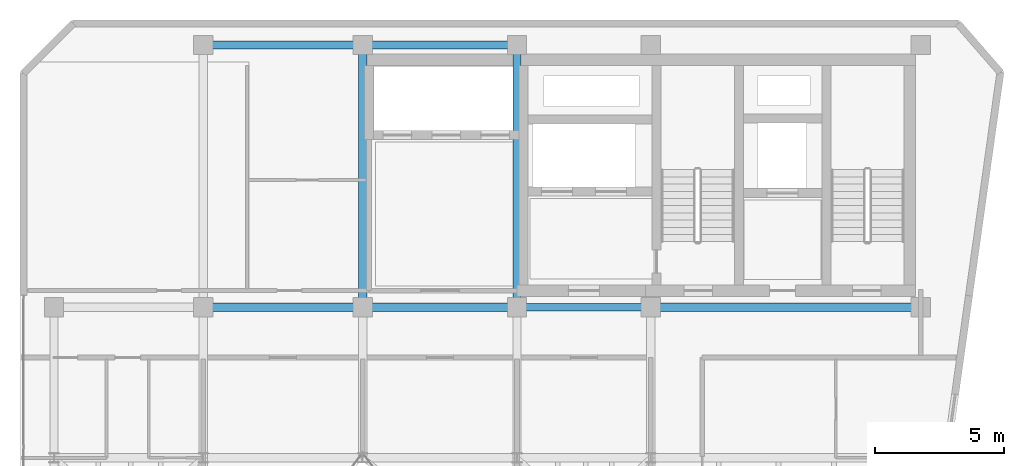
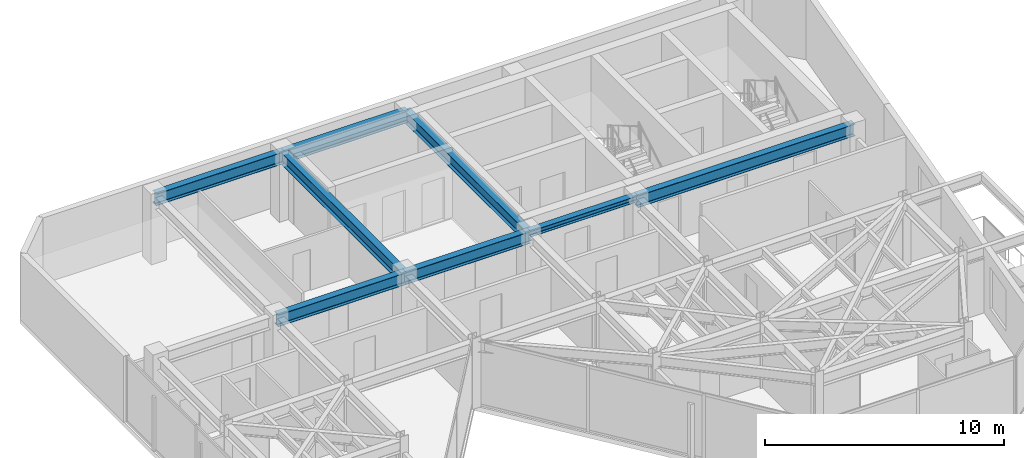
# One storey, part 11 of 17: 8 beams.
"""IFC4 building model written with IfcOpenShell, lengths in metres."""

from ifc_helpers import new_model, si_unit, direction, frame, origin, origin_2d, place, context, subcontext, project, spatial, i_section, extrude, material, material_profile, profile_set, type_object, element, save


model = new_model("IFC4")

# Units and contexts
model_context = context("Model", 3, precision=1e-05, world=origin(), true_north=direction((0.0, 1.0)))
body_context = subcontext(model_context, "Body", "Model", "MODEL_VIEW")
ifc_project = project(units=[si_unit("LENGTHUNIT", "METRE"), si_unit("AREAUNIT", "SQUARE_METRE"), si_unit("VOLUMEUNIT", "CUBIC_METRE"), si_unit("PLANEANGLEUNIT", "RADIAN"), si_unit("MASSUNIT", "GRAM", prefix="KILO")], contexts=[model_context])

# Site, building, storey
site_placement = place(None, origin())
site = spatial("IfcSite", under=ifc_project, at=site_placement, CompositionType="ELEMENT")
building_placement = place(site_placement, origin())
building = spatial("IfcBuilding", under=site, at=building_placement, Name="Kravanh Interchange Tower", CompositionType="ELEMENT")
storey_placement = place(building_placement, frame((0.0, 0.0, 285.89990234375)))
storey = spatial("IfcBuildingStorey", under=building, at=storey_placement, Name="L70", CompositionType="ELEMENT", Elevation=285.89990234375)

# Beams
ifc_material_1 = material(Name="Structural Steel S355", Category="steel")
ifc_material_profile_1 = material_profile(ifc_material_1, i_section(OverallWidth=0.323974609375, OverallDepth=0.611083984375, WebThickness=0.0126953125, FlangeThickness=0.01904296875, FilletRadius=0.02197265625, at=origin_2d()), Name="W24X104")
ifc_profile_set_1 = profile_set([ifc_material_profile_1], Name="Structural Steel S355")
beam_type_1 = type_object("IfcBeamType", Name="Floor Beam W24X104 Structural Steel S355", PredefinedType="BEAM", material=ifc_profile_set_1)
beam_1_placement = place(storey_placement, frame((66.5, 37.35009765625, 3.0595703125), z_axis=(-1.0, 0.0, 0.0), x_axis=(0.0, -1.0, 0.0)))
element("IfcBeam", 1, at=beam_1_placement, inside=storey, type_object=beam_type_1, Name="L70 Primary Floor Girder 38", PredefinedType="BEAM", context=body_context, shape_type="SweptSolid", body=[
    extrude(i_section(OverallWidth=0.323974609375, OverallDepth=0.611083984375, WebThickness=0.0126953125, FlangeThickness=0.01904296875, FilletRadius=0.02197265625, at=origin_2d()), origin(), (0.0, 0.0, 1.0), 10.5),
])
beam_2_placement = place(storey_placement, frame((50.800048828125, 47.550048828125, 3.0595703125), z_axis=(-1.0, 0.0, 0.0), x_axis=(0.0, -1.0, 0.0)))
element("IfcBeam", 2, at=beam_2_placement, inside=storey, type_object=beam_type_1, Name="L70 Primary Floor Girder 40", PredefinedType="BEAM", context=body_context, shape_type="SweptSolid", body=[
    extrude(i_section(OverallWidth=0.323974609375, OverallDepth=0.611083984375, WebThickness=0.0126953125, FlangeThickness=0.01904296875, FilletRadius=0.02197265625, at=origin_2d()), origin(), (0.0, 0.0, 1.0), 6.0),
])
beam_3_placement = place(storey_placement, frame((50.800048828125, 47.550048828125, 3.0595703125), z_axis=(0.0, -1.0, 0.0), x_axis=(1.0, 0.0, 0.0)))
element("IfcBeam", 3, at=beam_3_placement, inside=storey, type_object=beam_type_1, Name="L70 Primary Floor Girder 41", PredefinedType="BEAM", context=body_context, shape_type="SweptSolid", body=[
    extrude(i_section(OverallWidth=0.323974609375, OverallDepth=0.611083984375, WebThickness=0.0126953125, FlangeThickness=0.01904296875, FilletRadius=0.02197265625, at=origin_2d()), origin(), (0.0, 0.0, 1.0), 10.199951171875),
])
beam_4_placement = place(storey_placement, frame((50.800048828125, 37.35009765625, 3.0595703125), z_axis=(-1.0, 0.0, 0.0), x_axis=(0.0, -1.0, 0.0)))
element("IfcBeam", 4, at=beam_4_placement, inside=storey, type_object=beam_type_1, Name="L70 Primary Floor Girder 42", PredefinedType="BEAM", context=body_context, shape_type="SweptSolid", body=[
    extrude(i_section(OverallWidth=0.323974609375, OverallDepth=0.611083984375, WebThickness=0.0126953125, FlangeThickness=0.01904296875, FilletRadius=0.02197265625, at=origin_2d()), origin(), (0.0, 0.0, 1.0), 6.0),
])
beam_5_placement = place(storey_placement, frame((44.800048828125, 37.35009765625, 3.0595703125), z_axis=(-1.0, 0.0, 0.0), x_axis=(0.0, -1.0, 0.0)))
element("IfcBeam", 5, at=beam_5_placement, inside=storey, type_object=beam_type_1, Name="L70 Primary Floor Girder 43", PredefinedType="BEAM", context=body_context, shape_type="SweptSolid", body=[
    extrude(i_section(OverallWidth=0.323974609375, OverallDepth=0.611083984375, WebThickness=0.0126953125, FlangeThickness=0.01904296875, FilletRadius=0.02197265625, at=origin_2d()), origin(), (0.0, 0.0, 1.0), 6.199951171875),
])
beam_6_placement = place(storey_placement, frame((44.800048828125, 37.35009765625, 3.0595703125), z_axis=(0.0, 1.0, 0.0), x_axis=(-1.0, 0.0, 0.0)))
element("IfcBeam", 6, at=beam_6_placement, inside=storey, type_object=beam_type_1, Name="L70 Primary Floor Girder 44", PredefinedType="BEAM", context=body_context, shape_type="SweptSolid", body=[
    extrude(i_section(OverallWidth=0.323974609375, OverallDepth=0.611083984375, WebThickness=0.0126953125, FlangeThickness=0.01904296875, FilletRadius=0.02197265625, at=origin_2d()), origin(), (0.0, 0.0, 1.0), 10.199951171875),
])
beam_7_placement = place(storey_placement, frame((44.800048828125, 47.550048828125, 3.0595703125), z_axis=(-1.0, 0.0, 0.0), x_axis=(0.0, -1.0, 0.0)))
element("IfcBeam", 7, at=beam_7_placement, inside=storey, type_object=beam_type_1, Name="L70 Primary Floor Girder 45", PredefinedType="BEAM", context=body_context, shape_type="SweptSolid", body=[
    extrude(i_section(OverallWidth=0.323974609375, OverallDepth=0.611083984375, WebThickness=0.0126953125, FlangeThickness=0.01904296875, FilletRadius=0.02197265625, at=origin_2d()), origin(), (0.0, 0.0, 1.0), 6.199951171875),
])
ifc_material_2 = material(Name="Structural Steel S355", Category="steel")
ifc_material_profile_2 = material_profile(ifc_material_2, i_section(OverallWidth=0.304931640625, OverallDepth=0.306884765625, WebThickness=0.010009765625, FlangeThickness=0.015380859375, FilletRadius=0.014892578125, at=origin_2d()), Name="W12X65")
ifc_profile_set_2 = profile_set([ifc_material_profile_2], Name="Structural Steel S355")
beam_type_2 = type_object("IfcBeamType", Name="Floor Lintel W12X65 Structural Steel S355", PredefinedType="LINTEL", material=ifc_profile_set_2)
beam_8_placement = place(storey_placement, frame((50.800048828125, 37.35009765625, 3.211669921875), z_axis=(1.0, 0.0, 0.0), x_axis=(0.0, 1.0, 0.0)))
element("IfcBeam", 8, at=beam_8_placement, inside=storey, type_object=beam_type_2, Name="L70 Core Coupling Lintel 1", PredefinedType="LINTEL", context=body_context, shape_type="SweptSolid", body=[
    extrude(i_section(OverallWidth=0.304931640625, OverallDepth=0.306884765625, WebThickness=0.010009765625, FlangeThickness=0.015380859375, FilletRadius=0.014892578125, at=origin_2d()), origin(), (0.0, 0.0, 1.0), 5.199951171875),
])

save(model, "model.ifc")
